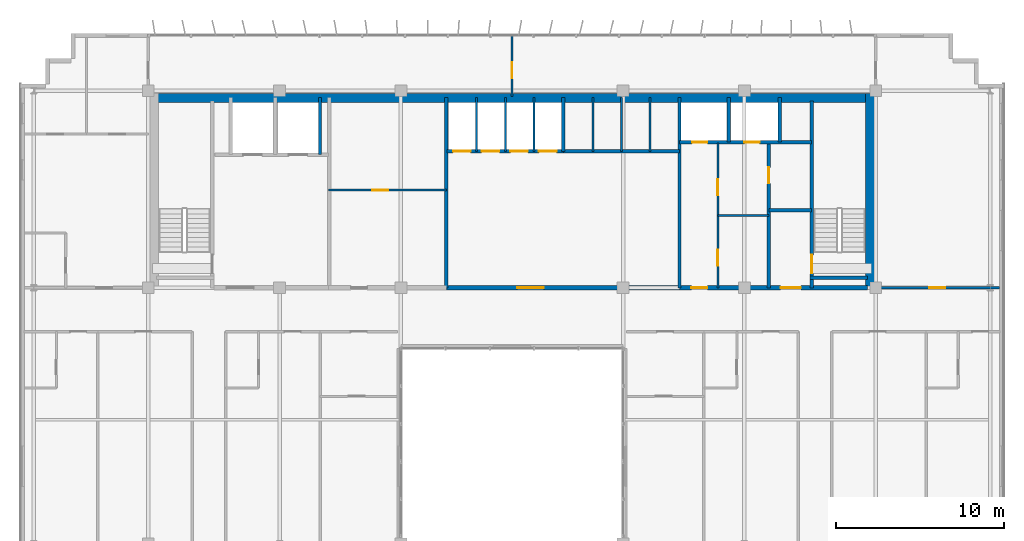
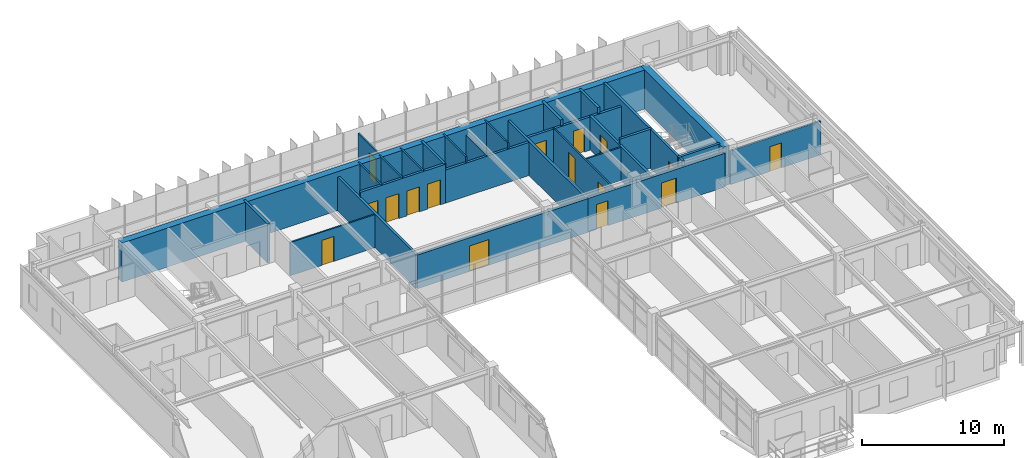
# One storey, part 31 of 34: 28 walls, 16 doors, 16 openings.
"""IFC4 building model written with IfcOpenShell, lengths in metres."""

from ifc_helpers import new_model, si_unit, direction, frame, frame_2d, origin, place, context, subcontext, project, spatial, rectangle, extrude, source, transform, mapped, material, layer, layer_set, type_object, element, fill, save


model = new_model("IFC4")

# Units and contexts
model_context = context("Model", 3, precision=1e-05, world=origin(), true_north=direction((0.0, 1.0)))
body_context = subcontext(model_context, "Body", "Model", "MODEL_VIEW")
ifc_project = project(units=[si_unit("LENGTHUNIT", "METRE"), si_unit("AREAUNIT", "SQUARE_METRE"), si_unit("VOLUMEUNIT", "CUBIC_METRE"), si_unit("PLANEANGLEUNIT", "RADIAN"), si_unit("MASSUNIT", "GRAM", prefix="KILO")], contexts=[model_context])

# Site, building, storey
site_placement = place(None, origin())
site = spatial("IfcSite", under=ifc_project, at=site_placement, CompositionType="ELEMENT")
building_placement = place(site_placement, origin())
building = spatial("IfcBuilding", under=site, at=building_placement, Name="Trelvane Seafront Commons", CompositionType="ELEMENT")
storey_placement = place(building_placement, frame((0.0, 0.0, 197.699951171875)))
storey = spatial("IfcBuildingStorey", under=building, at=storey_placement, Name="L51", CompositionType="ELEMENT", Elevation=197.699951171875)

# Wall, opening, door
ifc_material_1 = material(Name="Concrete C40/50", Category="concrete")
ifc_layer_1 = layer(ifc_material_1, 0.199951171875, Name="ARCH-WALL-FIRE200")
ifc_layer_set_1 = layer_set([ifc_layer_1], Name="Concrete C40/50")
wall_type_1 = type_object("IfcWallType", Name="ARCH-WALL-FIRE200", PredefinedType="PARTITIONING", material=ifc_layer_set_1)
wall_1_placement = place(storey_placement, frame((52.449951171875, 33.39990234375, 0.0), z_axis=(0.0, 0.0, 1.0), x_axis=(0.0, 1.0, 0.0)))
wall_1 = element("IfcWall", 1, at=wall_1_placement, inside=storey, type_object=wall_type_1, Name="W-L51-ST2V-W-031", PredefinedType="PARTITIONING", context=body_context, shape_type="SweptSolid", body=[
    extrude(rectangle(XDim=8.650146484375, YDim=0.199951171875, at=frame_2d((4.3251953125, 0.0))), origin(), (0.0, 0.0, 1.0), 2.91015625),
])
opening_1_placement = place(wall_1_placement, frame((6.199951171875, 0.0, 0.0)))
opening_1 = element("IfcOpeningElement", 2, at=opening_1_placement, cuts=wall_1, Name="Opening FD-L51-15", PredefinedType="OPENING", context=body_context, shape_type="SweptSolid", body=[
    extrude(rectangle(XDim=0.949951171875, YDim=2.14990234375, at=frame_2d((0.47509765625, 1.074951171875))), frame((0.0, 0.10986328125, 0.0), z_axis=(0.0, -1.0, 0.0), x_axis=(1.0, 0.0, 0.0)), (0.0, 0.0, 1.0), 0.219970703125),
])
ifc_material_2 = material(Name="Powder-coated aluminium frame", Category="aluminium")
door_type_1 = type_object("IfcDoorType", Name="ARCH-DR-FD60-950", OperationType="NOTDEFINED", PredefinedType="DOOR", material=ifc_material_2)
shared_shape_1 = source(origin(), body_context, "Body", "SweptSolid", [
    extrude(rectangle(XDim=0.949951171875, YDim=2.14990234375, at=frame_2d((0.47509765625, 1.074951171875))), frame((0.0, 0.02490234375, 0.0), z_axis=(0.0, -1.0, 0.0), x_axis=(1.0, 0.0, 0.0)), (0.0, 0.0, 1.0), 0.050048828125),
])
door_1_placement = place(opening_1_placement, origin())
door_1 = element("IfcDoor", 3, at=door_1_placement, inside=storey, type_object=door_type_1, Name="L51 Cleaner Store Door", OperationType="SINGLE_SWING_LEFT", OverallHeight=2.14990234375, OverallWidth=0.949951171875, PredefinedType="DOOR", context=body_context, shape_type="MappedRepresentation", body=[
    mapped(shared_shape_1, transform((0.0, 0.0, 0.0), x_axis=(1.0, 0.0, 0.0), y_axis=(0.0, 1.0, 0.0), z_axis=(0.0, 0.0, 1.0), scale=1.0)),
])
fill(opening_1, door_1)

# Wall
wall_2_placement = place(storey_placement, frame((52.449951171875, 38.0, 0.0), z_axis=(0.0, 0.0, 1.0), x_axis=(1.0, 0.0, 0.0)))
element("IfcWall", 4, at=wall_2_placement, inside=storey, type_object=wall_type_1, Name="W-L51-ST2V-N-032", PredefinedType="PARTITIONING", context=body_context, shape_type="SweptSolid", body=[
    extrude(rectangle(XDim=2.550048828125, YDim=0.199951171875, at=frame_2d((1.27490234375, 0.0))), origin(), (0.0, 0.0, 1.0), 3.360107421875),
])

# Wall, opening, door
ifc_layer_2 = layer(ifc_material_1, 0.25, Name="ARCH-WALL-FIRE250")
ifc_layer_set_2 = layer_set([ifc_layer_2], Name="Concrete C40/50")
wall_type_2 = type_object("IfcWallType", Name="ARCH-WALL-FIRE250", PredefinedType="PARTITIONING", material=ifc_layer_set_2)
wall_3_placement = place(storey_placement, frame((33.300048828125, 33.39990234375, 0.0), z_axis=(0.0, 0.0, 1.0), x_axis=(1.0, 0.0, 0.0)))
wall_3 = element("IfcWall", 5, at=wall_3_placement, inside=storey, type_object=wall_type_2, Name="W-L51-CS-PAX-027", PredefinedType="PARTITIONING", context=body_context, shape_type="SweptSolid", body=[
    extrude(rectangle(XDim=13.849853515625, YDim=0.25, at=frame_2d((6.9248046875, 0.0))), origin(), (0.0, 0.0, 1.0), 2.91015625),
])
opening_2_placement = place(wall_3_placement, frame((4.199951171875, 0.0, 0.0)))
opening_2 = element("IfcOpeningElement", 6, at=opening_2_placement, cuts=wall_3, Name="Opening FD-L51-12", PredefinedType="OPENING", context=body_context, shape_type="SweptSolid", body=[
    extrude(rectangle(XDim=1.60009765625, YDim=2.199951171875, at=frame_2d((0.800048828125, 1.10009765625))), frame((0.0, 0.135009765625, 0.0), z_axis=(0.0, -1.0, 0.0), x_axis=(1.0, 0.0, 0.0)), (0.0, 0.0, 1.0), 0.27001953125),
])
door_type_2 = type_object("IfcDoorType", Name="ARCH-DR-FD60-1600", OperationType="DOUBLE_DOOR_SINGLE_SWING", PredefinedType="DOOR", material=ifc_material_2)
shared_shape_2 = source(origin(), body_context, "Body", "SweptSolid", [
    extrude(rectangle(XDim=1.60009765625, YDim=2.199951171875, at=frame_2d((0.800048828125, 1.10009765625))), frame((0.0, 0.02490234375, 0.0), z_axis=(0.0, -1.0, 0.0), x_axis=(1.0, 0.0, 0.0)), (0.0, 0.0, 1.0), 0.050048828125),
])
door_2_placement = place(opening_2_placement, origin())
door_2 = element("IfcDoor", 7, at=door_2_placement, inside=storey, type_object=door_type_2, Name="L51 Passenger Lift Lobby Double Door", OperationType="DOUBLE_DOOR_SINGLE_SWING", OverallHeight=2.199951171875, OverallWidth=1.60009765625, PredefinedType="DOOR", context=body_context, shape_type="MappedRepresentation", body=[
    mapped(shared_shape_2, transform((0.0, 0.0, 0.0), x_axis=(1.0, 0.0, 0.0), y_axis=(0.0, 1.0, 0.0), z_axis=(0.0, 0.0, 1.0), scale=1.0)),
])
fill(opening_2, door_2)

# Wall, openings, doors
wall_4_placement = place(storey_placement, frame((47.14990234375, 33.39990234375, 0.0), z_axis=(0.0, 0.0, 1.0), x_axis=(1.0, 0.0, 0.0)))
wall_4 = element("IfcWall", 8, at=wall_4_placement, inside=storey, type_object=wall_type_2, Name="W-L51-CS-EAST-035", PredefinedType="PARTITIONING", context=body_context, shape_type="SweptSolid", body=[
    extrude(rectangle(XDim=11.150146484375, YDim=0.25, at=frame_2d((5.5751953125, 0.0))), origin(), (0.0, 0.0, 1.0), 2.91015625),
])
opening_3_placement = place(wall_4_placement, frame((0.699951171875, 0.0, 0.0)))
opening_3 = element("IfcOpeningElement", 9, at=opening_3_placement, cuts=wall_4, Name="Opening FD-L51-18", PredefinedType="OPENING", context=body_context, shape_type="SweptSolid", body=[
    extrude(rectangle(XDim=0.949951171875, YDim=2.14990234375, at=frame_2d((0.47509765625, 1.074951171875))), frame((0.0, 0.135009765625, 0.0), z_axis=(0.0, -1.0, 0.0), x_axis=(1.0, 0.0, 0.0)), (0.0, 0.0, 1.0), 0.27001953125),
])
opening_4_placement = place(wall_4_placement, frame((6.0, 0.0, 0.0)))
opening_4 = element("IfcOpeningElement", 10, at=opening_4_placement, cuts=wall_4, Name="Opening FD-L51-19", PredefinedType="OPENING", context=body_context, shape_type="SweptSolid", body=[
    extrude(rectangle(XDim=1.199951171875, YDim=2.14990234375, at=frame_2d((0.60009765625, 1.074951171875))), frame((0.0, 0.135009765625, 0.0), z_axis=(0.0, -1.0, 0.0), x_axis=(1.0, 0.0, 0.0)), (0.0, 0.0, 1.0), 0.27001953125),
])
door_3_placement = place(opening_3_placement, origin())
door_3 = element("IfcDoor", 11, at=door_3_placement, inside=storey, type_object=door_type_1, Name="L51 Core Service Lobby Door", OperationType="SINGLE_SWING_RIGHT", OverallHeight=2.14990234375, OverallWidth=0.949951171875, PredefinedType="DOOR", context=body_context, shape_type="MappedRepresentation", body=[
    mapped(shared_shape_1, transform((0.0, 0.0, 0.0), x_axis=(1.0, 0.0, 0.0), y_axis=(0.0, 1.0, 0.0), z_axis=(0.0, 0.0, 1.0), scale=1.0)),
])
fill(opening_3, door_3)
door_type_3 = type_object("IfcDoorType", Name="ARCH-DR-FD60-1200", OperationType="NOTDEFINED", PredefinedType="DOOR", material=ifc_material_2)
shared_shape_3 = source(origin(), body_context, "Body", "SweptSolid", [
    extrude(rectangle(XDim=1.199951171875, YDim=2.14990234375, at=frame_2d((0.60009765625, 1.074951171875))), frame((0.0, 0.02490234375, 0.0), z_axis=(0.0, -1.0, 0.0), x_axis=(1.0, 0.0, 0.0)), (0.0, 0.0, 1.0), 0.050048828125),
])
door_4_placement = place(opening_4_placement, origin())
door_4 = element("IfcDoor", 12, at=door_4_placement, inside=storey, type_object=door_type_3, Name="L51 East Stair Vestibule Fire Door", OperationType="SINGLE_SWING_LEFT", OverallHeight=2.14990234375, OverallWidth=1.199951171875, PredefinedType="DOOR", context=body_context, shape_type="MappedRepresentation", body=[
    mapped(shared_shape_3, transform((0.0, 0.0, 0.0), x_axis=(1.0, 0.0, 0.0), y_axis=(0.0, 1.0, 0.0), z_axis=(0.0, 0.0, 1.0), scale=1.0)),
])
fill(opening_4, door_4)

# Wall, opening, door
ifc_material_3 = material(Name="Gypsum Drywall Acoustic Partition")
ifc_layer_3 = layer(ifc_material_3, 0.1201171875, Name="ARCH-WALL-PART120")
ifc_layer_set_3 = layer_set([ifc_layer_3], Name="Gypsum Drywall Acoustic Partition")
wall_type_3 = type_object("IfcWallType", Name="ARCH-WALL-PART120", PredefinedType="PARTITIONING", material=ifc_layer_set_3)
wall_5_placement = place(storey_placement, frame((26.300048828125, 39.199951171875, 0.0), z_axis=(0.0, 0.0, 1.0), x_axis=(1.0, 0.0, 0.0)))
wall_5 = element("IfcWall", 13, at=wall_5_placement, inside=storey, type_object=wall_type_3, Name="W-L51-FREED-PL-MID-014", PredefinedType="PARTITIONING", context=body_context, shape_type="SweptSolid", body=[
    extrude(rectangle(XDim=7.0, YDim=0.1201171875, at=frame_2d((3.5, 0.0))), origin(), (0.0, 0.0, 1.0), 2.860107421875),
])
opening_5_placement = place(wall_5_placement, frame((2.60009765625, 0.0, 0.0)))
opening_5 = element("IfcOpeningElement", 14, at=opening_5_placement, cuts=wall_5, Name="Opening D-L51-06", PredefinedType="OPENING", context=body_context, shape_type="SweptSolid", body=[
    extrude(rectangle(XDim=0.949951171875, YDim=2.14990234375, at=frame_2d((0.47509765625, 1.074951171875))), frame((0.0, 0.070068359375, 0.0), z_axis=(0.0, -1.0, 0.0), x_axis=(1.0, 0.0, 0.0)), (0.0, 0.0, 1.0), 0.14013671875),
])
ifc_material_4 = material(Name="Acoustic timber door leaf", Category="wood")
door_type_4 = type_object("IfcDoorType", Name="ARCH-DR-INT950", OperationType="NOTDEFINED", PredefinedType="DOOR", material=ifc_material_4)
door_5_placement = place(opening_5_placement, origin())
door_5 = element("IfcDoor", 15, at=door_5_placement, inside=storey, type_object=door_type_4, Name="L51 Housekeeping Store Door", OperationType="SINGLE_SWING_RIGHT", OverallHeight=2.14990234375, OverallWidth=0.949951171875, PredefinedType="DOOR", context=body_context, shape_type="MappedRepresentation", body=[
    mapped(shared_shape_1, transform((0.0, 0.0, 0.0), x_axis=(1.0, 0.0, 0.0), y_axis=(0.0, 1.0, 0.0), z_axis=(0.0, 0.0, 1.0), scale=1.0)),
])
fill(opening_5, door_5)

# Walls
for number, where, z_axis, x_axis, name in (
    (16, (35.10009765625, 41.5, 0.0), (0.0, 0.0, 1.0), (0.0, 1.0, 0.0), "W-L51-PM-DIV1-017"),
    (17, (36.800048828125, 41.5, 0.0), (0.0, 0.0, 1.0), (0.0, 1.0, 0.0), "W-L51-PM-DIV2-018"),
    (18, (38.5, 41.5, 0.0), (0.0, 0.0, 1.0), (0.0, 1.0, 0.0), "W-L51-PM-DIV3-019"),
    (19, (42.0, 41.5, 0.0), (0.0, 0.0, 1.0), (0.0, 1.0, 0.0), "W-L51-PH-DIV1-022"),
):
    element("IfcWall", number, at=place(storey_placement, frame(where, z_axis=z_axis, x_axis=x_axis)), inside=storey, type_object=wall_type_3, Name=name, PredefinedType="PARTITIONING", context=body_context, shape_type="SweptSolid", body=[
        extrude(rectangle(XDim=3.199951171875, YDim=0.1201171875, at=frame_2d((1.60009765625, 0.0))), origin(), (0.0, 0.0, 1.0), 3.360107421875),
    ])
wall_6_placement = place(storey_placement, frame((43.699951171875, 41.5, 0.0), z_axis=(0.0, 0.0, 1.0), x_axis=(0.0, 1.0, 0.0)))
element("IfcWall", 20, at=wall_6_placement, inside=storey, type_object=wall_type_3, Name="W-L51-PH-DIV2-023", PredefinedType="PARTITIONING", context=body_context, shape_type="SweptSolid", body=[
    extrude(rectangle(XDim=3.199951171875, YDim=0.1201171875, at=frame_2d((1.60009765625, 0.0))), origin(), (0.0, 0.0, 1.0), 2.860107421875),
])
wall_7_placement = place(storey_placement, frame((45.39990234375, 41.5, 0.0), z_axis=(0.0, 0.0, 1.0), x_axis=(0.0, 1.0, 0.0)))
element("IfcWall", 21, at=wall_7_placement, inside=storey, type_object=wall_type_3, Name="W-L51-PH-DIV3-024", PredefinedType="PARTITIONING", context=body_context, shape_type="SweptSolid", body=[
    extrude(rectangle(XDim=3.199951171875, YDim=0.1201171875, at=frame_2d((1.60009765625, 0.0))), origin(), (0.0, 0.0, 1.0), 3.360107421875),
])

# Wall, openings, doors
wall_8_placement = place(storey_placement, frame((49.419921875, 33.39990234375, 0.0), z_axis=(0.0, 0.0, 1.0), x_axis=(0.0, 1.0, 0.0)))
wall_8 = element("IfcWall", 22, at=wall_8_placement, inside=storey, type_object=wall_type_3, Name="W-L51-CYC0-V-033", PredefinedType="PARTITIONING", context=body_context, shape_type="SweptSolid", body=[
    extrude(rectangle(XDim=8.60009765625, YDim=0.1201171875, at=frame_2d((4.300048828125, 0.0))), origin(), (0.0, 0.0, 1.0), 2.91015625),
])
opening_6_placement = place(wall_8_placement, frame((1.300048828125, 0.0, 0.0)))
opening_6 = element("IfcOpeningElement", 23, at=opening_6_placement, cuts=wall_8, Name="Opening D-L51-16", PredefinedType="OPENING", context=body_context, shape_type="SweptSolid", body=[
    extrude(rectangle(XDim=0.949951171875, YDim=2.14990234375, at=frame_2d((0.47509765625, 1.074951171875))), frame((0.0, 0.070068359375, 0.0), z_axis=(0.0, -1.0, 0.0), x_axis=(1.0, 0.0, 0.0)), (0.0, 0.0, 1.0), 0.14013671875),
])
opening_7_placement = place(wall_8_placement, frame((5.5, 0.0, 0.0)))
opening_7 = element("IfcOpeningElement", 24, at=opening_7_placement, cuts=wall_8, Name="Opening D-L51-17", PredefinedType="OPENING", context=body_context, shape_type="SweptSolid", body=[
    extrude(rectangle(XDim=0.949951171875, YDim=2.14990234375, at=frame_2d((0.47509765625, 1.074951171875))), frame((0.0, 0.070068359375, 0.0), z_axis=(0.0, -1.0, 0.0), x_axis=(1.0, 0.0, 0.0)), (0.0, 0.0, 1.0), 0.14013671875),
])
door_6_placement = place(opening_6_placement, origin())
door_6 = element("IfcDoor", 25, at=door_6_placement, inside=storey, type_object=door_type_4, Name="L51 Accessible WC Door", OperationType="SINGLE_SWING_RIGHT", OverallHeight=2.14990234375, OverallWidth=0.949951171875, PredefinedType="DOOR", context=body_context, shape_type="MappedRepresentation", body=[
    mapped(shared_shape_1, transform((0.0, 0.0, 0.0), x_axis=(1.0, 0.0, 0.0), y_axis=(0.0, 1.0, 0.0), z_axis=(0.0, 0.0, 1.0), scale=1.0)),
])
fill(opening_6, door_6)
door_7_placement = place(opening_7_placement, origin())
door_7 = element("IfcDoor", 26, at=door_7_placement, inside=storey, type_object=door_type_4, Name="L51 Common WC Door", OperationType="SINGLE_SWING_LEFT", OverallHeight=2.14990234375, OverallWidth=0.949951171875, PredefinedType="DOOR", context=body_context, shape_type="MappedRepresentation", body=[
    mapped(shared_shape_1, transform((0.0, 0.0, 0.0), x_axis=(1.0, 0.0, 0.0), y_axis=(0.0, 1.0, 0.0), z_axis=(0.0, 0.0, 1.0), scale=1.0)),
])
fill(opening_7, door_7)

# Wall
wall_9_placement = place(storey_placement, frame((49.419921875, 37.679931640625, 0.0), z_axis=(0.0, 0.0, 1.0), x_axis=(1.0, 0.0, 0.0)))
element("IfcWall", 27, at=wall_9_placement, inside=storey, type_object=wall_type_3, Name="W-L51-CYC0-H-034", PredefinedType="PARTITIONING", context=body_context, shape_type="SweptSolid", body=[
    extrude(rectangle(XDim=3.030029296875, YDim=0.1201171875, at=frame_2d((1.51513671875, 0.0))), origin(), (0.0, 0.0, 1.0), 2.860107421875),
])

# Wall, opening, door
wall_10_placement = place(storey_placement, frame((37.199951171875, 44.75, 0.0), z_axis=(0.0, 0.0, 1.0), x_axis=(0.0, 1.0, 0.0)))
wall_10 = element("IfcWall", 28, at=wall_10_placement, inside=storey, type_object=wall_type_3, Name="W-L51-N-MID-DV-043", PredefinedType="PARTITIONING", context=body_context, shape_type="SweptSolid", body=[
    extrude(rectangle(XDim=3.610107421875, YDim=0.1201171875, at=frame_2d((1.80517578125, 0.0))), origin(), (0.0, 0.0, 1.0), 2.91015625),
])
opening_8_placement = place(wall_10_placement, frame((1.10009765625, 0.0, 0.0)))
opening_8 = element("IfcOpeningElement", 29, at=opening_8_placement, cuts=wall_10, Name="Opening D-L51-25", PredefinedType="OPENING", context=body_context, shape_type="SweptSolid", body=[
    extrude(rectangle(XDim=0.949951171875, YDim=2.14990234375, at=frame_2d((0.47509765625, 1.074951171875))), frame((0.0, 0.070068359375, 0.0), z_axis=(0.0, -1.0, 0.0), x_axis=(1.0, 0.0, 0.0)), (0.0, 0.0, 1.0), 0.14013671875),
])
door_8_placement = place(opening_8_placement, origin())
door_8 = element("IfcDoor", 30, at=door_8_placement, inside=storey, type_object=door_type_4, Name="L51 Door 25", OperationType="SINGLE_SWING_LEFT", OverallHeight=2.14990234375, OverallWidth=0.949951171875, PredefinedType="DOOR", context=body_context, shape_type="MappedRepresentation", body=[
    mapped(shared_shape_1, transform((0.0, 0.0, 0.0), x_axis=(1.0, 0.0, 0.0), y_axis=(0.0, 1.0, 0.0), z_axis=(0.0, 0.0, 1.0), scale=1.0)),
])
fill(opening_8, door_8)

ifc_layer_4 = layer(ifc_material_3, 0.14990234375, Name="ARCH-WALL-PART150")
ifc_layer_set_4 = layer_set([ifc_layer_4], Name="Gypsum Drywall Acoustic Partition")
wall_type_4 = type_object("IfcWallType", Name="ARCH-WALL-PART150", PredefinedType="PARTITIONING", material=ifc_layer_set_4)
wall_11_placement = place(storey_placement, frame((58.800048828125, 33.39990234375, 0.0), z_axis=(0.0, 0.0, 1.0), x_axis=(1.0, 0.0, 0.0)))
wall_11 = element("IfcWall", 31, at=wall_11_placement, inside=storey, type_object=wall_type_4, Name="W-L51-NE-ENT-042", PredefinedType="PARTITIONING", context=body_context, shape_type="SweptSolid", body=[
    extrude(rectangle(XDim=7.349853515625, YDim=0.14990234375, at=frame_2d((3.6748046875, 0.0))), origin(), (0.0, 0.0, 1.0), 2.91015625),
])
opening_9_placement = place(wall_11_placement, frame((3.19189453125, 0.0, 0.0)))
opening_9 = element("IfcOpeningElement", 32, at=opening_9_placement, cuts=wall_11, Name="Opening FD-L51-24", PredefinedType="OPENING", context=body_context, shape_type="SweptSolid", body=[
    extrude(rectangle(XDim=0.949951171875, YDim=2.14990234375, at=frame_2d((0.47509765625, 1.074951171875))), frame((0.0, 0.0849609375, 0.0), z_axis=(0.0, -1.0, 0.0), x_axis=(1.0, 0.0, 0.0)), (0.0, 0.0, 1.0), 0.169921875),
])
door_9_placement = place(opening_9_placement, origin())
door_9 = element("IfcDoor", 33, at=door_9_placement, inside=storey, type_object=door_type_1, Name="L51 NE Suite Entrance Door", OperationType="SINGLE_SWING_RIGHT", OverallHeight=2.14990234375, OverallWidth=0.949951171875, PredefinedType="DOOR", context=body_context, shape_type="MappedRepresentation", body=[
    mapped(shared_shape_1, transform((0.0, 0.0, 0.0), x_axis=(1.0, 0.0, 0.0), y_axis=(0.0, 1.0, 0.0), z_axis=(0.0, 0.0, 1.0), scale=1.0)),
])
fill(opening_9, door_9)

# Walls
ifc_layer_5 = layer(ifc_material_1, 0.199951171875, Name="ARCH-WALL-SHAFT200")
ifc_layer_set_5 = layer_set([ifc_layer_5], Name="Concrete C40/50")
wall_type_5 = type_object("IfcWallType", Name="ARCH-WALL-SHAFT200", PredefinedType="SOLIDWALL", material=ifc_layer_set_5)
wall_12_placement = place(storey_placement, frame((25.800048828125, 41.300048828125, 0.0), z_axis=(0.0, 0.0, 1.0), x_axis=(0.0, 1.0, 0.0)))
element("IfcWall", 34, at=wall_12_placement, inside=storey, type_object=wall_type_5, Name="W-L51-FFL-SH-E-011", PredefinedType="SOLIDWALL", context=body_context, shape_type="SweptSolid", body=[
    extrude(rectangle(XDim=3.39990234375, YDim=0.199951171875, at=frame_2d((1.699951171875, 0.0))), origin(), (0.0, 0.0, 1.0), 3.360107421875),
])
wall_13_placement = place(storey_placement, frame((33.300048828125, 33.39990234375, 0.0), z_axis=(0.0, 0.0, 1.0), x_axis=(0.0, 1.0, 0.0)))
element("IfcWall", 35, at=wall_13_placement, inside=storey, type_object=wall_type_5, Name="W-L51-FREED-PL-E-015", PredefinedType="SOLIDWALL", context=body_context, shape_type="SweptSolid", body=[
    extrude(rectangle(XDim=11.300048828125, YDim=0.199951171875, at=frame_2d((5.64990234375, 0.0))), origin(), (0.0, 0.0, 1.0), 2.91015625),
])

# Wall, openings, doors
wall_14_placement = place(storey_placement, frame((33.35009765625, 41.5, 0.0), z_axis=(0.0, 0.0, 1.0), x_axis=(1.0, 0.0, 0.0)))
wall_14 = element("IfcWall", 36, at=wall_14_placement, inside=storey, type_object=wall_type_5, Name="W-L51-PM-FRONT-016", PredefinedType="SOLIDWALL", context=body_context, shape_type="SweptSolid", body=[
    extrude(rectangle(XDim=6.89990234375, YDim=0.199951171875, at=frame_2d((3.449951171875, 0.0))), origin(), (0.0, 0.0, 1.0), 3.360107421875),
])
opening_10_placement = place(wall_14_placement, frame((0.35009765625, 0.0, 0.0)))
opening_10 = element("IfcOpeningElement", 37, at=opening_10_placement, cuts=wall_14, Name="Opening LD-PM1-L51", PredefinedType="OPENING", context=body_context, shape_type="SweptSolid", body=[
    extrude(rectangle(XDim=1.050048828125, YDim=2.14990234375, at=frame_2d((0.52490234375, 1.074951171875))), frame((0.0, 0.10986328125, 0.0), z_axis=(0.0, -1.0, 0.0), x_axis=(1.0, 0.0, 0.0)), (0.0, 0.0, 1.0), 0.219970703125),
])
opening_11_placement = place(wall_14_placement, frame((2.050048828125, 0.0, 0.0)))
opening_11 = element("IfcOpeningElement", 38, at=opening_11_placement, cuts=wall_14, Name="Opening LD-PM2-L51", PredefinedType="OPENING", context=body_context, shape_type="SweptSolid", body=[
    extrude(rectangle(XDim=1.050048828125, YDim=2.14990234375, at=frame_2d((0.52490234375, 1.074951171875))), frame((0.0, 0.10986328125, 0.0), z_axis=(0.0, -1.0, 0.0), x_axis=(1.0, 0.0, 0.0)), (0.0, 0.0, 1.0), 0.219970703125),
])
opening_12_placement = place(wall_14_placement, frame((3.75, 0.0, 0.0)))
opening_12 = element("IfcOpeningElement", 39, at=opening_12_placement, cuts=wall_14, Name="Opening LD-PM3-L51", PredefinedType="OPENING", context=body_context, shape_type="SweptSolid", body=[
    extrude(rectangle(XDim=1.050048828125, YDim=2.14990234375, at=frame_2d((0.52490234375, 1.074951171875))), frame((0.0, 0.10986328125, 0.0), z_axis=(0.0, -1.0, 0.0), x_axis=(1.0, 0.0, 0.0)), (0.0, 0.0, 1.0), 0.219970703125),
])
opening_13_placement = place(wall_14_placement, frame((5.449951171875, 0.0, 0.0)))
opening_13 = element("IfcOpeningElement", 40, at=opening_13_placement, cuts=wall_14, Name="Opening LD-PM4-L51", PredefinedType="OPENING", context=body_context, shape_type="SweptSolid", body=[
    extrude(rectangle(XDim=1.050048828125, YDim=2.14990234375, at=frame_2d((0.52490234375, 1.074951171875))), frame((0.0, 0.10986328125, 0.0), z_axis=(0.0, -1.0, 0.0), x_axis=(1.0, 0.0, 0.0)), (0.0, 0.0, 1.0), 0.219970703125),
])
ifc_material_5 = material(Name="Stainless steel balustrade", Category="steel")
door_type_5 = type_object("IfcDoorType", Name="ARCH-DR-LD1050", OperationType="DOUBLE_DOOR_SLIDING", PredefinedType="DOOR", material=ifc_material_5)
shared_shape_4 = source(origin(), body_context, "Body", "SweptSolid", [
    extrude(rectangle(XDim=1.050048828125, YDim=2.14990234375, at=frame_2d((0.52490234375, 1.074951171875))), frame((0.0, 0.02490234375, 0.0), z_axis=(0.0, -1.0, 0.0), x_axis=(1.0, 0.0, 0.0)), (0.0, 0.0, 1.0), 0.050048828125),
])
door_10_placement = place(opening_10_placement, origin())
door_10 = element("IfcDoor", 41, at=door_10_placement, inside=storey, type_object=door_type_5, Name="L51 Passenger Lift PM-1 Landing Door", OperationType="DOUBLE_DOOR_SLIDING", OverallHeight=2.14990234375, OverallWidth=1.050048828125, PredefinedType="DOOR", context=body_context, shape_type="MappedRepresentation", body=[
    mapped(shared_shape_4, transform((0.0, 0.0, 0.0), x_axis=(1.0, 0.0, 0.0), y_axis=(0.0, 1.0, 0.0), z_axis=(0.0, 0.0, 1.0), scale=1.0)),
])
fill(opening_10, door_10)
door_11_placement = place(opening_11_placement, origin())
door_11 = element("IfcDoor", 42, at=door_11_placement, inside=storey, type_object=door_type_5, Name="L51 Passenger Lift PM-2 Landing Door", OperationType="DOUBLE_DOOR_SLIDING", OverallHeight=2.14990234375, OverallWidth=1.050048828125, PredefinedType="DOOR", context=body_context, shape_type="MappedRepresentation", body=[
    mapped(shared_shape_4, transform((0.0, 0.0, 0.0), x_axis=(1.0, 0.0, 0.0), y_axis=(0.0, 1.0, 0.0), z_axis=(0.0, 0.0, 1.0), scale=1.0)),
])
fill(opening_11, door_11)
door_12_placement = place(opening_12_placement, origin())
door_12 = element("IfcDoor", 43, at=door_12_placement, inside=storey, type_object=door_type_5, Name="L51 Passenger Lift PM-3 Landing Door", OperationType="DOUBLE_DOOR_SLIDING", OverallHeight=2.14990234375, OverallWidth=1.050048828125, PredefinedType="DOOR", context=body_context, shape_type="MappedRepresentation", body=[
    mapped(shared_shape_4, transform((0.0, 0.0, 0.0), x_axis=(1.0, 0.0, 0.0), y_axis=(0.0, 1.0, 0.0), z_axis=(0.0, 0.0, 1.0), scale=1.0)),
])
fill(opening_12, door_12)
door_13_placement = place(opening_13_placement, origin())
door_13 = element("IfcDoor", 44, at=door_13_placement, inside=storey, type_object=door_type_5, Name="L51 Passenger Lift PM-4 Landing Door", OperationType="DOUBLE_DOOR_SLIDING", OverallHeight=2.14990234375, OverallWidth=1.050048828125, PredefinedType="DOOR", context=body_context, shape_type="MappedRepresentation", body=[
    mapped(shared_shape_4, transform((0.0, 0.0, 0.0), x_axis=(1.0, 0.0, 0.0), y_axis=(0.0, 1.0, 0.0), z_axis=(0.0, 0.0, 1.0), scale=1.0)),
])
fill(opening_13, door_13)

# Walls
wall_15_placement = place(storey_placement, frame((40.25, 41.5, 0.0), z_axis=(0.0, 0.0, 1.0), x_axis=(1.0, 0.0, 0.0)))
element("IfcWall", 45, at=wall_15_placement, inside=storey, type_object=wall_type_5, Name="W-L51-PH-FRONT-020", PredefinedType="SOLIDWALL", context=body_context, shape_type="SweptSolid", body=[
    extrude(rectangle(XDim=6.89990234375, YDim=0.199951171875, at=frame_2d((3.449951171875, 0.0))), origin(), (0.0, 0.0, 1.0), 2.860107421875),
])
wall_16_placement = place(storey_placement, frame((40.25, 41.5, 0.0), z_axis=(0.0, 0.0, 1.0), x_axis=(0.0, 1.0, 0.0)))
element("IfcWall", 46, at=wall_16_placement, inside=storey, type_object=wall_type_5, Name="W-L51-PH-WEST-SH-021", PredefinedType="SOLIDWALL", context=body_context, shape_type="SweptSolid", body=[
    extrude(rectangle(XDim=3.199951171875, YDim=0.199951171875, at=frame_2d((1.60009765625, 0.0))), origin(), (0.0, 0.0, 1.0), 3.360107421875),
])
wall_17_placement = place(storey_placement, frame((47.14990234375, 33.39990234375, 0.0), z_axis=(0.0, 0.0, 1.0), x_axis=(0.0, 1.0, 0.0)))
element("IfcWall", 47, at=wall_17_placement, inside=storey, type_object=wall_type_5, Name="W-L51-PH-EAST-025", PredefinedType="SOLIDWALL", context=body_context, shape_type="SweptSolid", body=[
    extrude(rectangle(XDim=11.300048828125, YDim=0.199951171875, at=frame_2d((5.64990234375, 0.0))), origin(), (0.0, 0.0, 1.0), 2.91015625),
])

# Wall, openings, doors
wall_18_placement = place(storey_placement, frame((47.14990234375, 42.050048828125, 0.0), z_axis=(0.0, 0.0, 1.0), x_axis=(1.0, 0.0, 0.0)))
wall_18 = element("IfcWall", 48, at=wall_18_placement, inside=storey, type_object=wall_type_5, Name="W-L51-RSR-S-028", PredefinedType="SOLIDWALL", context=body_context, shape_type="SweptSolid", body=[
    extrude(rectangle(XDim=7.85009765625, YDim=0.199951171875, at=frame_2d((3.925048828125, 0.0))), origin(), (0.0, 0.0, 1.0), 2.860107421875),
])
opening_14_placement = place(wall_18_placement, frame((0.75, 0.0, 0.0)))
opening_14 = element("IfcOpeningElement", 49, at=opening_14_placement, cuts=wall_18, Name="Opening FD-L51-13", PredefinedType="OPENING", context=body_context, shape_type="SweptSolid", body=[
    extrude(rectangle(XDim=0.89990234375, YDim=2.10009765625, at=frame_2d((0.449951171875, 1.050048828125))), frame((0.0, 0.10986328125, 0.0), z_axis=(0.0, -1.0, 0.0), x_axis=(1.0, 0.0, 0.0)), (0.0, 0.0, 1.0), 0.219970703125),
])
opening_15_placement = place(wall_18_placement, frame((3.85009765625, 0.0, 0.0)))
opening_15 = element("IfcOpeningElement", 50, at=opening_15_placement, cuts=wall_18, Name="Opening FD-L51-14", PredefinedType="OPENING", context=body_context, shape_type="SweptSolid", body=[
    extrude(rectangle(XDim=0.89990234375, YDim=2.10009765625, at=frame_2d((0.449951171875, 1.050048828125))), frame((0.0, 0.10986328125, 0.0), z_axis=(0.0, -1.0, 0.0), x_axis=(1.0, 0.0, 0.0)), (0.0, 0.0, 1.0), 0.219970703125),
])
door_type_6 = type_object("IfcDoorType", Name="ARCH-DR-FD60-900", OperationType="NOTDEFINED", PredefinedType="DOOR", material=ifc_material_2)
shared_shape_5 = source(origin(), body_context, "Body", "SweptSolid", [
    extrude(rectangle(XDim=0.89990234375, YDim=2.10009765625, at=frame_2d((0.449951171875, 1.050048828125))), frame((0.0, 0.02490234375, 0.0), z_axis=(0.0, -1.0, 0.0), x_axis=(1.0, 0.0, 0.0)), (0.0, 0.0, 1.0), 0.050048828125),
])
door_14_placement = place(opening_14_placement, origin())
door_14 = element("IfcDoor", 51, at=door_14_placement, inside=storey, type_object=door_type_6, Name="L51 Electrical Riser Access Door", OperationType="SINGLE_SWING_LEFT", OverallHeight=2.10009765625, OverallWidth=0.89990234375, PredefinedType="DOOR", context=body_context, shape_type="MappedRepresentation", body=[
    mapped(shared_shape_5, transform((0.0, 0.0, 0.0), x_axis=(1.0, 0.0, 0.0), y_axis=(0.0, 1.0, 0.0), z_axis=(0.0, 0.0, 1.0), scale=1.0)),
])
fill(opening_14, door_14)
door_15_placement = place(opening_15_placement, origin())
door_15 = element("IfcDoor", 52, at=door_15_placement, inside=storey, type_object=door_type_6, Name="L51 Mechanical Riser Access Door", OperationType="SINGLE_SWING_RIGHT", OverallHeight=2.10009765625, OverallWidth=0.89990234375, PredefinedType="DOOR", context=body_context, shape_type="MappedRepresentation", body=[
    mapped(shared_shape_5, transform((0.0, 0.0, 0.0), x_axis=(1.0, 0.0, 0.0), y_axis=(0.0, 1.0, 0.0), z_axis=(0.0, 0.0, 1.0), scale=1.0)),
])
fill(opening_15, door_15)

# Walls
for number, where, z_axis, x_axis, name in (
    (53, (50.080078125, 42.050048828125, 0.0), (0.0, 0.0, 1.0), (0.0, 1.0, 0.0), "W-L51-RSR-DIV-029"),
    (54, (53.10009765625, 42.050048828125, 0.0), (0.0, 0.0, 1.0), (0.0, 1.0, 0.0), "W-L51-RSR-E-030"),
):
    element("IfcWall", number, at=place(storey_placement, frame(where, z_axis=z_axis, x_axis=x_axis)), inside=storey, type_object=wall_type_5, Name=name, PredefinedType="SOLIDWALL", context=body_context, shape_type="SweptSolid", body=[
        extrude(rectangle(XDim=2.64990234375, YDim=0.199951171875, at=frame_2d((1.324951171875, 0.0))), origin(), (0.0, 0.0, 1.0), 3.360107421875),
    ])
ifc_material_6 = material(Name="Concrete C50/60", Category="concrete")
ifc_layer_6 = layer(ifc_material_6, 0.550048828125, Name="STR-WALL-CORE550")
ifc_layer_set_6 = layer_set([ifc_layer_6], Name="Concrete C50/60")
wall_type_6 = type_object("IfcWallType", Name="STR-WALL-CORE550", PredefinedType="SHEAR", material=ifc_layer_set_6)
wall_19_placement = place(storey_placement, frame((15.64990234375, 44.675048828125, 0.0), z_axis=(0.0, 0.0, 1.0), x_axis=(1.0, 0.0, 0.0)))
element("IfcWall", 55, at=wall_19_placement, inside=storey, type_object=wall_type_6, Name="W-L51-CN-ALL-001", PredefinedType="SHEAR", context=body_context, shape_type="SweptSolid", body=[
    extrude(rectangle(XDim=43.10009765625, YDim=0.550048828125, at=frame_2d((21.550048828125, 0.0))), origin(), (0.0, 0.0, 1.0), 3.360107421875),
])
wall_20_placement = place(storey_placement, frame((58.47509765625, 33.39990234375, 0.0), z_axis=(0.0, 0.0, 1.0), x_axis=(0.0, 1.0, 0.0)))
element("IfcWall", 56, at=wall_20_placement, inside=storey, type_object=wall_type_6, Name="W-L51-CE-END-003", PredefinedType="SHEAR", context=body_context, shape_type="SweptSolid", body=[
    extrude(rectangle(XDim=11.550048828125, YDim=0.550048828125, at=frame_2d((5.77490234375, 0.0))), origin(), (0.0, 0.0, 1.0), 3.360107421875),
])
ifc_layer_7 = layer(ifc_material_6, 0.199951171875, Name="STR-WALL-STAIR200")
ifc_layer_set_7 = layer_set([ifc_layer_7], Name="Concrete C50/60")
wall_type_7 = type_object("IfcWallType", Name="STR-WALL-STAIR200", PredefinedType="SHEAR", material=ifc_layer_set_7)
wall_21_placement = place(storey_placement, frame((54.89990234375, 34.0, 0.0), z_axis=(0.0, 0.0, 1.0), x_axis=(1.0, 0.0, 0.0)))
element("IfcWall", 57, at=wall_21_placement, inside=storey, type_object=wall_type_7, Name="W-L51-ST2-S-006", PredefinedType="SHEAR", context=body_context, shape_type="SweptSolid", body=[
    extrude(rectangle(XDim=3.400146484375, YDim=0.199951171875, at=frame_2d((1.7001953125, 0.0))), origin(), (0.0, 0.0, 1.0), 3.360107421875),
])

# Wall, opening, door
wall_22_placement = place(storey_placement, frame((55.0, 33.39990234375, 0.0), z_axis=(0.0, 0.0, 1.0), x_axis=(0.0, 1.0, 0.0)))
wall_22 = element("IfcWall", 58, at=wall_22_placement, inside=storey, type_object=wall_type_7, Name="W-L51-ST2-W-007", PredefinedType="SHEAR", context=body_context, shape_type="SweptSolid", body=[
    extrude(rectangle(XDim=11.10009765625, YDim=0.199951171875, at=frame_2d((5.550048828125, 0.0))), origin(), (0.0, 0.0, 1.0), 3.360107421875),
])
opening_16_placement = place(wall_22_placement, frame((0.85009765625, 0.0, 0.0)))
opening_16 = element("IfcOpeningElement", 59, at=opening_16_placement, cuts=wall_22, Name="Opening ST-D2-L51", PredefinedType="OPENING", context=body_context, shape_type="SweptSolid", body=[
    extrude(rectangle(XDim=1.10009765625, YDim=2.14990234375, at=frame_2d((0.550048828125, 1.074951171875))), frame((0.0, 0.10986328125, 0.0), z_axis=(0.0, -1.0, 0.0), x_axis=(1.0, 0.0, 0.0)), (0.0, 0.0, 1.0), 0.219970703125),
])
door_type_7 = type_object("IfcDoorType", Name="ARCH-DR-FD90-1100", OperationType="NOTDEFINED", PredefinedType="DOOR", material=ifc_material_2)
shared_shape_6 = source(origin(), body_context, "Body", "SweptSolid", [
    extrude(rectangle(XDim=1.10009765625, YDim=2.14990234375, at=frame_2d((0.550048828125, 1.074951171875))), frame((0.0, 0.02490234375, 0.0), z_axis=(0.0, -1.0, 0.0), x_axis=(1.0, 0.0, 0.0)), (0.0, 0.0, 1.0), 0.050048828125),
])
door_16_placement = place(opening_16_placement, origin())
door_16 = element("IfcDoor", 60, at=door_16_placement, inside=storey, type_object=door_type_7, Name="L51 Stair ST-2 Vestibule Fire Door", OperationType="SINGLE_SWING_RIGHT", OverallHeight=2.14990234375, OverallWidth=1.10009765625, PredefinedType="DOOR", context=body_context, shape_type="MappedRepresentation", body=[
    mapped(shared_shape_6, transform((0.0, 0.0, 0.0), x_axis=(1.0, 0.0, 0.0), y_axis=(0.0, 1.0, 0.0), z_axis=(0.0, 0.0, 1.0), scale=1.0)),
])
fill(opening_16, door_16)

save(model, "model.ifc")
